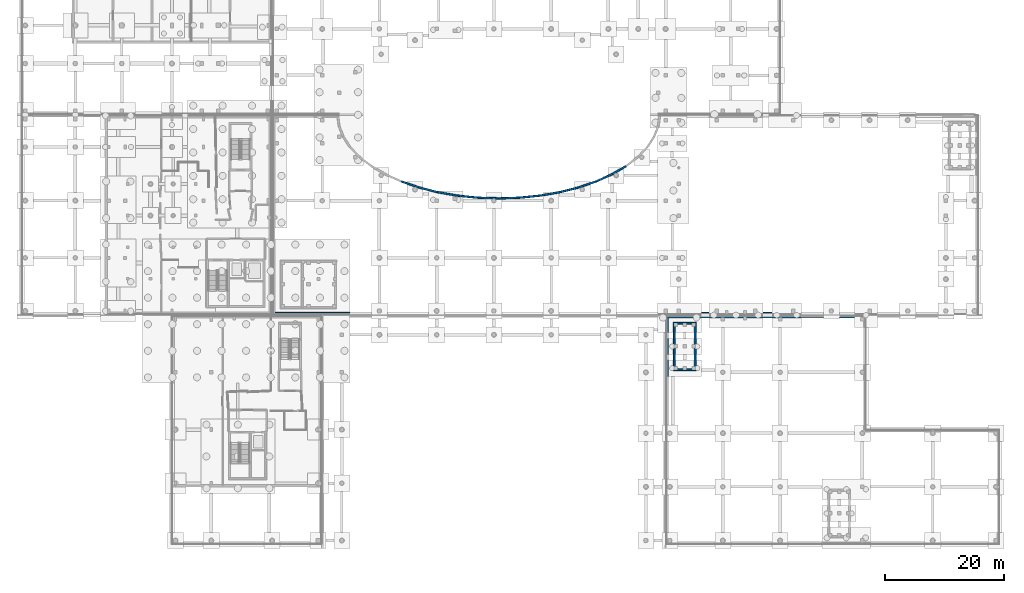
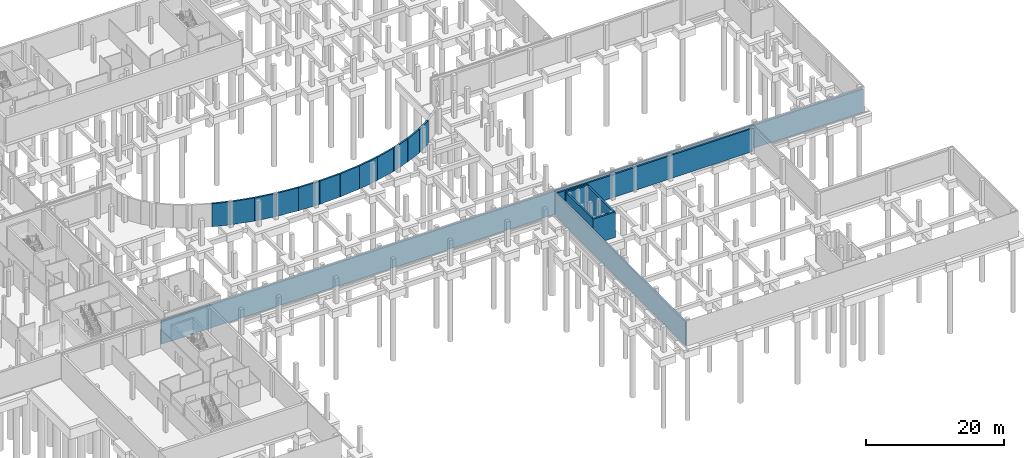
# One storey, part 22 of 40: 19 walls.
"""IFC4 building model written with IfcOpenShell, lengths in metres."""

from ifc_helpers import new_model, si_unit, direction, frame, frame_2d, origin, place, context, subcontext, project, spatial, rectangle, extrude, material, layer, layer_set, type_object, element, save


model = new_model("IFC4")

# Units and contexts
model_context = context("Model", 3, precision=1e-05, world=origin(), true_north=direction((0.0, 1.0)))
body_context = subcontext(model_context, "Body", "Model", "MODEL_VIEW")
ifc_project = project(units=[si_unit("LENGTHUNIT", "METRE"), si_unit("AREAUNIT", "SQUARE_METRE"), si_unit("VOLUMEUNIT", "CUBIC_METRE"), si_unit("PLANEANGLEUNIT", "RADIAN"), si_unit("MASSUNIT", "GRAM", prefix="KILO")], contexts=[model_context])

# Site, building, storey
site_placement = place(None, origin())
site = spatial("IfcSite", under=ifc_project, at=site_placement, CompositionType="ELEMENT")
building_placement = place(site_placement, origin())
building = spatial("IfcBuilding", under=site, at=building_placement, Name="Mzevani Central Library", CompositionType="ELEMENT")
storey_placement = place(building_placement, frame((0.0, 0.0, -4.5)))
storey = spatial("IfcBuildingStorey", under=building, at=storey_placement, Name="B1", CompositionType="ELEMENT", Elevation=-4.5)

# Walls
ifc_material_1 = material(Name="Concrete C40/50", Category="concrete")
ifc_layer_1 = layer(ifc_material_1, 0.300048828125, Name="Core Shear Wall 300")
ifc_layer_set_1 = layer_set([ifc_layer_1], Name="Concrete C40/50")
wall_type_1 = type_object("IfcWallType", Name="Core Shear Wall 300", PredefinedType="SHEAR", material=ifc_layer_set_1)
wall_1_placement = place(storey_placement, frame((117.10009765625, 33.25, 0.0), z_axis=(0.0, 0.0, 1.0), x_axis=(-1.0, 0.0, 0.0)))
element("IfcWall", 1, at=wall_1_placement, inside=storey, type_object=wall_type_1, Name="B1 Core C6A Children's Pavilion North Stair Foundation Core Wall (-y)", PredefinedType="SHEAR", context=body_context, shape_type="SweptSolid", body=[
    extrude(rectangle(XDim=3.800048828125, YDim=0.300048828125, at=frame_2d((1.89990234375, 0.0))), origin(), (0.0, 0.0, 1.0), 4.5),
])
wall_2_placement = place(storey_placement, frame((113.449951171875, 33.10009765625, 0.0), z_axis=(0.0, 0.0, 1.0), x_axis=(0.0, 1.0, 0.0)))
element("IfcWall", 2, at=wall_2_placement, inside=storey, type_object=wall_type_1, Name="B1 Core C6A Children's Pavilion North Stair Foundation Core Wall (-x)", PredefinedType="SHEAR", context=body_context, shape_type="SweptSolid", body=[
    extrude(rectangle(XDim=8.099853515625, YDim=0.300048828125, at=frame_2d((4.0498046875, 0.0))), origin(), (0.0, 0.0, 1.0), 4.5),
])
wall_3_placement = place(storey_placement, frame((113.300048828125, 41.050048828125, 0.0), z_axis=(0.0, 0.0, 1.0), x_axis=(1.0, 0.0, 0.0)))
element("IfcWall", 3, at=wall_3_placement, inside=storey, type_object=wall_type_1, Name="B1 Core C6A Children's Pavilion North Stair Foundation Core Wall (+y)", PredefinedType="SHEAR", context=body_context, shape_type="SweptSolid", body=[
    extrude(rectangle(XDim=3.800048828125, YDim=0.300048828125, at=frame_2d((1.89990234375, 0.0))), origin(), (0.0, 0.0, 1.0), 4.5),
])
wall_4_placement = place(storey_placement, frame((116.949951171875, 41.199951171875, 0.0), z_axis=(0.0, 0.0, 1.0), x_axis=(0.0, -1.0, 0.0)))
element("IfcWall", 4, at=wall_4_placement, inside=storey, type_object=wall_type_1, Name="B1 Core C6A Children's Pavilion North Stair Foundation Core Wall (+x)", PredefinedType="SHEAR", context=body_context, shape_type="SweptSolid", body=[
    extrude(rectangle(XDim=8.099853515625, YDim=0.300048828125, at=frame_2d((4.0498046875, 0.0))), origin(), (0.0, 0.0, 1.0), 4.5),
])
ifc_material_2 = material(Name="Precast concrete C40/50", Category="concrete")
ifc_layer_2 = layer(ifc_material_2, 0.280029296875, Name="Court Spandrel Wall 280")
ifc_layer_set_2 = layer_set([ifc_layer_2], Name="Precast concrete C40/50")
wall_type_2 = type_object("IfcWallType", Name="Court Spandrel Wall 280", PredefinedType="STANDARD", material=ifc_layer_set_2)
wall_5_placement = place(storey_placement, frame((164.18994140625, 42.7099609375, 0.0), z_axis=(0.0, 0.0, 1.0), x_axis=(-1.0, 0.0, 0.0)))
element("IfcWall", 5, at=wall_5_placement, inside=storey, type_object=wall_type_2, Name="B1 V1 Perimeter Plinth Wall (7)", PredefinedType="STANDARD", context=body_context, shape_type="SweptSolid", body=[
    extrude(rectangle(XDim=117.8798828125, YDim=0.280029296875, at=frame_2d((58.93994140625, 0.0))), origin(), (0.0, 0.0, 1.0), 4.10009765625),
])
wall_6_placement = place(storey_placement, frame((67.61669921875, 64.843505859375, 0.0), z_axis=(0.0, 0.0, 1.0), x_axis=(0.945492423857, -0.325644094723, 0.0)))
element("IfcWall", 6, at=wall_6_placement, inside=storey, type_object=wall_type_2, Name="B1 V1 Perimeter Plinth Wall (17)", PredefinedType="STANDARD", context=body_context, shape_type="SweptSolid", body=[
    extrude(rectangle(XDim=3.082763671875, YDim=0.280029296875, at=frame_2d((1.54150390625, 0.0))), origin(), (0.0, 0.0, 1.0), 4.10009765625),
])
wall_7_placement = place(storey_placement, frame((70.54833984375, 63.834716796875, 0.0), z_axis=(0.0, 0.0, 1.0), x_axis=(0.969187718636, -0.246323295783, 0.0)))
element("IfcWall", 7, at=wall_7_placement, inside=storey, type_object=wall_type_2, Name="B1 V1 Perimeter Plinth Wall (18)", PredefinedType="STANDARD", context=body_context, shape_type="SweptSolid", body=[
    extrude(rectangle(XDim=3.243896484375, YDim=0.280029296875, at=frame_2d((1.6220703125, 0.0))), origin(), (0.0, 0.0, 1.0), 4.10009765625),
])
wall_8_placement = place(storey_placement, frame((73.7080078125, 63.0322265625, 0.0), z_axis=(0.0, 0.0, 1.0), x_axis=(0.985036309647, -0.172346942756, 0.0)))
element("IfcWall", 8, at=wall_8_placement, inside=storey, type_object=wall_type_2, Name="B1 V1 Perimeter Plinth Wall (19)", PredefinedType="STANDARD", context=body_context, shape_type="SweptSolid", body=[
    extrude(rectangle(XDim=3.3701171875, YDim=0.280029296875, at=frame_2d((1.68505859375, 0.0))), origin(), (0.0, 0.0, 1.0), 4.10009765625),
])
wall_9_placement = place(storey_placement, frame((77.042236328125, 62.449462890625, 0.0), z_axis=(0.0, 0.0, 1.0), x_axis=(0.994784379501, -0.102000187744, 0.0)))
element("IfcWall", 9, at=wall_9_placement, inside=storey, type_object=wall_type_2, Name="B1 V1 Perimeter Plinth Wall (20)", PredefinedType="STANDARD", context=body_context, shape_type="SweptSolid", body=[
    extrude(rectangle(XDim=3.456298828125, YDim=0.280029296875, at=frame_2d((1.72802734375, 0.0))), origin(), (0.0, 0.0, 1.0), 4.10009765625),
])
for number, where, z_axis, x_axis, name in (
    (10, (80.494873046875, 62.095947265625, 0.0), (0.0, 0.0, 1.0), (0.999429943241, -0.033760754643, 0.0), "B1 V1 Perimeter Plinth Wall (21)"),
    (11, (84.007080078125, 61.977783203125, 0.0), (0.0, 0.0, 1.0), (0.999429943241, 0.033760754643, 0.0), "B1 V1 Perimeter Plinth Wall (22)"),
):
    element("IfcWall", number, at=place(storey_placement, frame(where, z_axis=z_axis, x_axis=x_axis)), inside=storey, type_object=wall_type_2, Name=name, PredefinedType="STANDARD", context=body_context, shape_type="SweptSolid", body=[
        extrude(rectangle(XDim=3.5, YDim=0.280029296875, at=frame_2d((1.75, 0.0))), origin(), (0.0, 0.0, 1.0), 4.10009765625),
    ])
wall_10_placement = place(storey_placement, frame((87.51953125, 62.096923828125, 0.0), z_axis=(0.0, 0.0, 1.0), x_axis=(0.994784379501, 0.102000187744, 0.0)))
element("IfcWall", 12, at=wall_10_placement, inside=storey, type_object=wall_type_2, Name="B1 V1 Perimeter Plinth Wall (23)", PredefinedType="STANDARD", context=body_context, shape_type="SweptSolid", body=[
    extrude(rectangle(XDim=3.456298828125, YDim=0.280029296875, at=frame_2d((1.72802734375, 0.0))), origin(), (0.0, 0.0, 1.0), 4.10009765625),
])
wall_11_placement = place(storey_placement, frame((90.972412109375, 62.451416015625, 0.0), z_axis=(0.0, 0.0, 1.0), x_axis=(0.985036309647, 0.172346942756, 0.0)))
element("IfcWall", 13, at=wall_11_placement, inside=storey, type_object=wall_type_2, Name="B1 V1 Perimeter Plinth Wall (24)", PredefinedType="STANDARD", context=body_context, shape_type="SweptSolid", body=[
    extrude(rectangle(XDim=3.3701171875, YDim=0.280029296875, at=frame_2d((1.68505859375, 0.0))), origin(), (0.0, 0.0, 1.0), 4.10009765625),
])
wall_12_placement = place(storey_placement, frame((94.3076171875, 63.03564453125, 0.0), z_axis=(0.0, 0.0, 1.0), x_axis=(0.969187718636, 0.246323295783, 0.0)))
element("IfcWall", 14, at=wall_12_placement, inside=storey, type_object=wall_type_2, Name="B1 V1 Perimeter Plinth Wall (25)", PredefinedType="STANDARD", context=body_context, shape_type="SweptSolid", body=[
    extrude(rectangle(XDim=3.243896484375, YDim=0.280029296875, at=frame_2d((1.6220703125, 0.0))), origin(), (0.0, 0.0, 1.0), 4.10009765625),
])
wall_13_placement = place(storey_placement, frame((97.468505859375, 63.839599609375, 0.0), z_axis=(0.0, 0.0, 1.0), x_axis=(0.945492423857, 0.325644094723, 0.0)))
element("IfcWall", 15, at=wall_13_placement, inside=storey, type_object=wall_type_2, Name="B1 V1 Perimeter Plinth Wall (26)", PredefinedType="STANDARD", context=body_context, shape_type="SweptSolid", body=[
    extrude(rectangle(XDim=3.082763671875, YDim=0.280029296875, at=frame_2d((1.54150390625, 0.0))), origin(), (0.0, 0.0, 1.0), 4.10009765625),
])
wall_14_placement = place(storey_placement, frame((100.4013671875, 64.8505859375, 0.0), z_axis=(0.0, 0.0, 1.0), x_axis=(0.911231648639, 0.411894261333, 0.0)))
element("IfcWall", 16, at=wall_14_placement, inside=storey, type_object=wall_type_2, Name="B1 V1 Perimeter Plinth Wall (27)", PredefinedType="STANDARD", context=body_context, shape_type="SweptSolid", body=[
    extrude(rectangle(XDim=2.892578125, YDim=0.280029296875, at=frame_2d((1.4462890625, 0.0))), origin(), (0.0, 0.0, 1.0), 4.10009765625),
])
wall_15_placement = place(storey_placement, frame((103.056884765625, 66.05224609375, 0.0), z_axis=(0.0, 0.0, 1.0), x_axis=(0.862149496171, 0.506653970923, 0.0)))
element("IfcWall", 17, at=wall_15_placement, inside=storey, type_object=wall_type_2, Name="B1 V1 Perimeter Plinth Wall (28)", PredefinedType="STANDARD", context=body_context, shape_type="SweptSolid", body=[
    extrude(rectangle(XDim=2.68115234375, YDim=0.280029296875, at=frame_2d((1.340576171875, 0.0))), origin(), (0.0, 0.0, 1.0), 4.10009765625),
])
wall_16_placement = place(storey_placement, frame((112.31005859375, 4.2099609375, 0.0), z_axis=(0.0, 0.0, 1.0), x_axis=(0.0, 1.0, 0.0)))
element("IfcWall", 18, at=wall_16_placement, inside=storey, type_object=wall_type_2, Name="B1 V6 Perimeter Plinth Wall (76)", PredefinedType="STANDARD", context=body_context, shape_type="SweptSolid", body=[
    extrude(rectangle(XDim=37.880126953125, YDim=0.280029296875, at=frame_2d((18.93994140625, 0.0))), origin(), (0.0, 0.0, 1.0), 4.10009765625),
])
wall_17_placement = place(storey_placement, frame((112.31005859375, 42.090087890625, 0.0), z_axis=(0.0, 0.0, 1.0), x_axis=(1.0, 0.0, 0.0)))
element("IfcWall", 19, at=wall_17_placement, inside=storey, type_object=wall_type_2, Name="B1 V6 Perimeter Plinth Wall (77)", PredefinedType="STANDARD", context=body_context, shape_type="SweptSolid", body=[
    extrude(rectangle(XDim=33.079833984375, YDim=0.280029296875, at=frame_2d((16.5400390625, 0.0))), origin(), (0.0, 0.0, 1.0), 4.10009765625),
])

save(model, "model.ifc")
